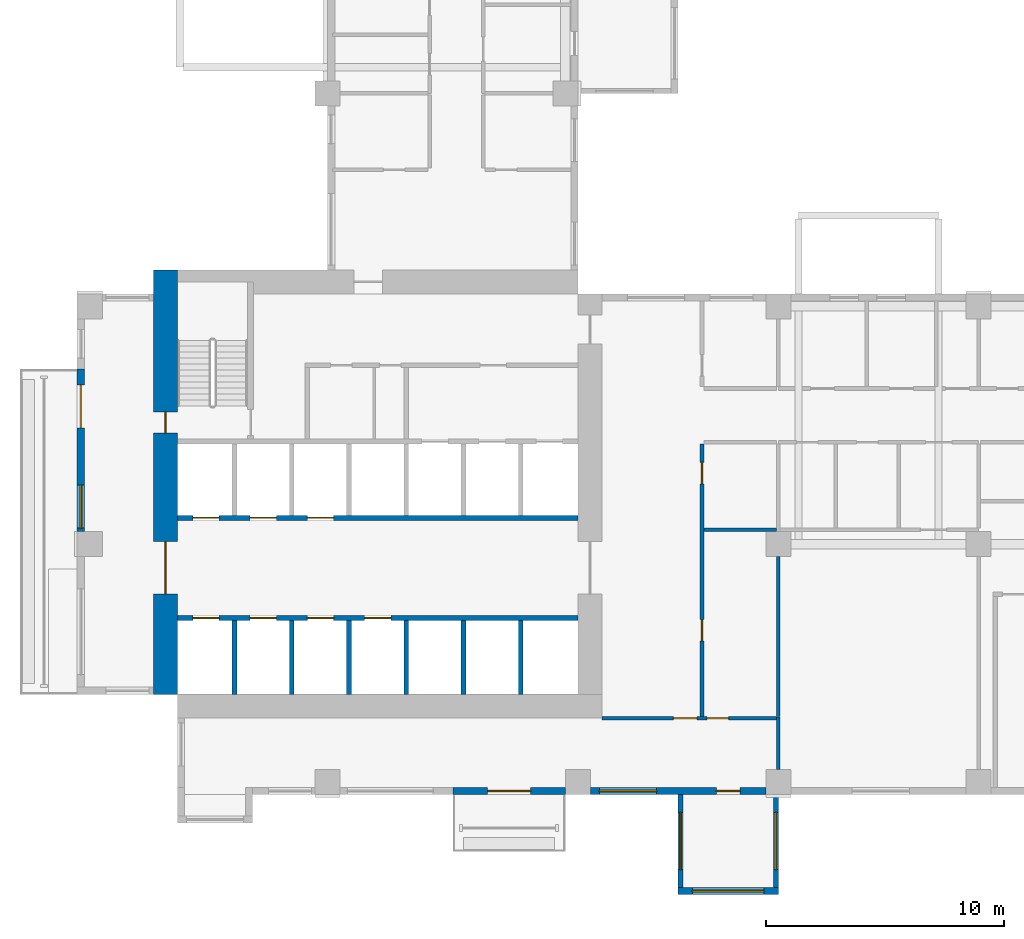
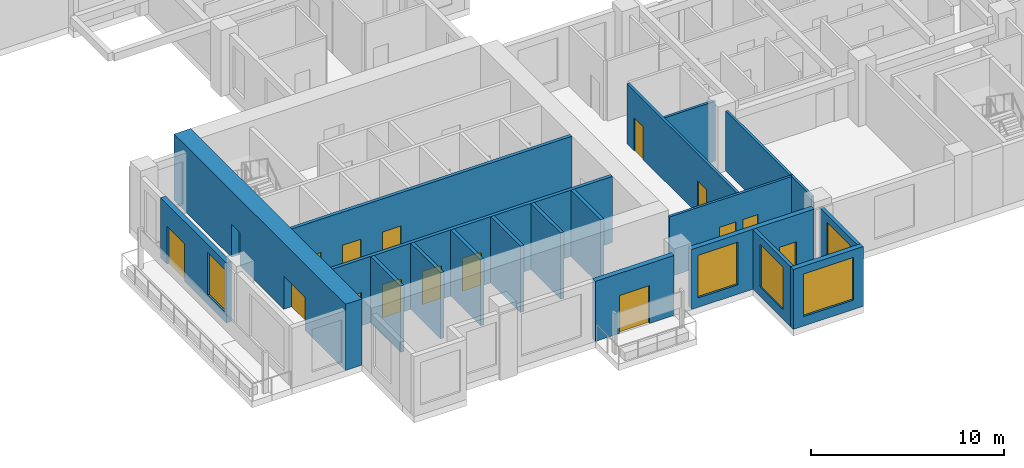
# One storey, part 2 of 14: 20 walls, 16 doors, 5 windows, 21 openings.
"""IFC4 building model written with IfcOpenShell, lengths in metres."""

from ifc_helpers import new_model, si_unit, direction, frame, frame_2d, origin, place, context, subcontext, project, spatial, rectangle, extrude, source, transform, mapped, material, layer, layer_set, type_object, element, fill, save


model = new_model("IFC4")

# Units and contexts
model_context = context("Model", 3, precision=1e-05, world=origin(), true_north=direction((0.0, 1.0)))
body_context = subcontext(model_context, "Body", "Model", "MODEL_VIEW")
ifc_project = project(units=[si_unit("LENGTHUNIT", "METRE"), si_unit("AREAUNIT", "SQUARE_METRE"), si_unit("VOLUMEUNIT", "CUBIC_METRE"), si_unit("PLANEANGLEUNIT", "RADIAN"), si_unit("MASSUNIT", "GRAM", prefix="KILO")], contexts=[model_context])

# Site, building, storey
site_placement = place(None, origin())
site = spatial("IfcSite", under=ifc_project, at=site_placement, CompositionType="ELEMENT")
building_placement = place(site_placement, origin())
building = spatial("IfcBuilding", under=site, at=building_placement, Name="Aurelian Terraces", CompositionType="ELEMENT")
storey_placement = place(building_placement, frame((0.0, 0.0, 132.9)))
storey = spatial("IfcBuildingStorey", under=building, at=storey_placement, Name="L29", CompositionType="ELEMENT", Elevation=132.9)

# Wall, openings, doors
ifc_material_1 = material(Name="Concrete fc' 83 MPa", Category="concrete")
ifc_layer_1 = layer(ifc_material_1, 1.0)
ifc_layer_set_1 = layer_set([ifc_layer_1], Name="CORE WALL 1000 FC83")
wall_type_1 = type_object("IfcWallType", Name="CORE WALL 1000 FC83", PredefinedType="SHEAR", material=ifc_layer_set_1)
shared_shape_1 = source(origin(), body_context, "Body", "SweptSolid", [
    extrude(rectangle(XDim=17.8, YDim=1.0, at=frame_2d((8.9, 0.0))), origin(), (0.0, 0.0, 1.0), 4.2),
])
wall_1_placement = place(storey_placement, frame((3.7, 4.2, 0.0), z_axis=(0.0, 0.0, 1.0), x_axis=(0.0, 1.0, 0.0)))
wall_1 = element("IfcWall", 1, at=wall_1_placement, inside=storey, type_object=wall_type_1, Name="Core wall W L29", PredefinedType="SHEAR", context=body_context, shape_type="MappedRepresentation", body=[
    mapped(shared_shape_1, transform((0.0, 0.0, 0.0), scale=1.0)),
])
shared_shape_2 = source(origin(), body_context, "Body", "SweptSolid", [
    extrude(rectangle(XDim=2.2, YDim=2.1, at=frame_2d((1.1, 1.05))), frame((0.0, 0.51, 0.0), z_axis=(0.0, -1.0, 0.0), x_axis=(1.0, 0.0, 0.0)), (0.0, 0.0, 1.0), 1.02),
])
opening_1_placement = place(wall_1_placement, frame((4.2, 0.0, 0.0)))
opening_1 = element("IfcOpeningElement", 2, at=opening_1_placement, cuts=wall_1, Name="Opening 63221", PredefinedType="OPENING", context=body_context, shape_type="MappedRepresentation", body=[
    mapped(shared_shape_2, transform((0.0, 0.0, 0.0), scale=1.0)),
])
shared_shape_3 = source(origin(), body_context, "Body", "SweptSolid", [
    extrude(rectangle(XDim=0.9, YDim=2.1, at=frame_2d((0.45, 1.05))), frame((0.0, 0.51, 0.0), z_axis=(0.0, -1.0, 0.0), x_axis=(1.0, 0.0, 0.0)), (0.0, 0.0, 1.0), 1.02),
])
opening_2_placement = place(wall_1_placement, frame((10.95, 0.0, 0.0)))
opening_2 = element("IfcOpeningElement", 3, at=opening_2_placement, cuts=wall_1, Name="Opening 63224", PredefinedType="OPENING", context=body_context, shape_type="MappedRepresentation", body=[
    mapped(shared_shape_3, transform((0.0, 0.0, 0.0), scale=1.0)),
])
ifc_material_2 = material(Name="Steel door leaf", Category="steel")
door_type_1 = type_object("IfcDoorType", Name="Core service door 900x2100", OperationType="SINGLE_SWING_LEFT", PredefinedType="DOOR", material=ifc_material_2)
shared_shape_4 = source(origin(), body_context, "Body", "SweptSolid", [
    extrude(rectangle(XDim=0.9, YDim=2.1, at=frame_2d((0.45, 1.05))), frame((0.0, 0.025, 0.0), z_axis=(0.0, -1.0, 0.0), x_axis=(1.0, 0.0, 0.0)), (0.0, 0.0, 1.0), 0.05),
])
door_1_placement = place(opening_2_placement, origin())
door_1 = element("IfcDoor", 4, at=door_1_placement, inside=storey, type_object=door_type_1, Name="Core door 63224", OperationType="SINGLE_SWING_LEFT", OverallHeight=2.1, OverallWidth=0.9, PredefinedType="DOOR", context=body_context, shape_type="MappedRepresentation", body=[
    mapped(shared_shape_4, transform((0.0, 0.0, 0.0), scale=1.0)),
])
fill(opening_2, door_1)
door_type_2 = type_object("IfcDoorType", Name="Core double door 2200x2100", OperationType="DOUBLE_DOOR_SINGLE_SWING", PredefinedType="DOOR", material=ifc_material_2)
shared_shape_5 = source(origin(), body_context, "Body", "SweptSolid", [
    extrude(rectangle(XDim=2.2, YDim=2.1, at=frame_2d((1.1, 1.05))), frame((0.0, 0.025, 0.0), z_axis=(0.0, -1.0, 0.0), x_axis=(1.0, 0.0, 0.0)), (0.0, 0.0, 1.0), 0.05),
])
door_2_placement = place(opening_1_placement, origin())
door_2 = element("IfcDoor", 5, at=door_2_placement, inside=storey, type_object=door_type_2, Name="Core door 63221", OperationType="DOUBLE_DOOR_SINGLE_SWING", OverallHeight=2.1, OverallWidth=2.2, PredefinedType="DOOR", context=body_context, shape_type="MappedRepresentation", body=[
    mapped(shared_shape_5, transform((0.0, 0.0, 0.0), scale=1.0)),
])
fill(opening_1, door_2)

# Wall, opening, window
ifc_material_3 = material(Name="Concrete fc' 40 MPa", Category="concrete")
ifc_layer_2 = layer(ifc_material_3, 0.2)
ifc_layer_set_2 = layer_set([ifc_layer_2], Name="BOX BEARING WALL 200")
wall_type_2 = type_object("IfcWallType", Name="BOX BEARING WALL 200", PredefinedType="SOLIDWALL", material=ifc_layer_set_2)
shared_shape_6 = source(origin(), body_context, "Body", "SweptSolid", [
    extrude(rectangle(XDim=3.9, YDim=0.2, at=frame_2d((1.95, 0.0))), origin(), (0.0, 0.0, 1.0), 3.79),
])
wall_2_placement = place(storey_placement, frame((25.3, 0.0, 0.0), z_axis=(0.0, 0.0, 1.0), x_axis=(0.0, -1.0, 0.0)))
wall_2 = element("IfcWall", 6, at=wall_2_placement, inside=storey, type_object=wall_type_2, Name="Box return L29 J39.1", PredefinedType="SOLIDWALL", context=body_context, shape_type="MappedRepresentation", body=[
    mapped(shared_shape_6, transform((0.0, 0.0, 0.0), scale=1.0)),
])
shared_shape_7 = source(origin(), body_context, "Body", "SweptSolid", [
    extrude(rectangle(XDim=2.4, YDim=2.7, at=frame_2d((1.2, 1.35))), frame((0.0, 0.11, 0.0), z_axis=(0.0, -1.0, 0.0), x_axis=(1.0, 0.0, 0.0)), (0.0, 0.0, 1.0), 0.22),
])
opening_3_placement = place(wall_2_placement, frame((0.75, 0.0, 0.6)))
opening_3 = element("IfcOpeningElement", 7, at=opening_3_placement, cuts=wall_2, Name="Opening W2427", PredefinedType="OPENING", context=body_context, shape_type="MappedRepresentation", body=[
    mapped(shared_shape_7, transform((0.0, 0.0, 0.0), scale=1.0)),
])
ifc_material_4 = material(Name="Clear glazing", Category="glass")
window_type_1 = type_object("IfcWindowType", Name="W-2400x2700", PartitioningType="SINGLE_PANEL", PredefinedType="WINDOW", material=ifc_material_4)
shared_shape_8 = source(origin(), body_context, "Body", "SweptSolid", [
    extrude(rectangle(XDim=2.4, YDim=2.7, at=frame_2d((1.2, 1.35))), frame((0.0, 0.03, 0.0), z_axis=(0.0, -1.0, 0.0), x_axis=(1.0, 0.0, 0.0)), (0.0, 0.0, 1.0), 0.06),
])
window_1_placement = place(opening_3_placement, origin())
window_1 = element("IfcWindow", 8, at=window_1_placement, inside=storey, type_object=window_type_1, Name="Window L29 J39-S1", OverallHeight=2.7, OverallWidth=2.4, PartitioningType="SINGLE_PANEL", PredefinedType="WINDOW", context=body_context, shape_type="MappedRepresentation", body=[
    mapped(shared_shape_8, transform((0.0, 0.0, 0.0), scale=1.0)),
])
fill(opening_3, window_1)

wall_3_placement = place(storey_placement, frame((29.3, 0.0, 0.0), z_axis=(0.0, 0.0, 1.0), x_axis=(0.0, -1.0, 0.0)))
wall_3 = element("IfcWall", 9, at=wall_3_placement, inside=storey, type_object=wall_type_2, Name="Box return L29 J39.2", PredefinedType="SOLIDWALL", context=body_context, shape_type="MappedRepresentation", body=[
    mapped(shared_shape_6, transform((0.0, 0.0, 0.0), scale=1.0)),
])
opening_4_placement = place(wall_3_placement, frame((0.75, 0.0, 0.6)))
opening_4 = element("IfcOpeningElement", 10, at=opening_4_placement, cuts=wall_3, Name="Opening W2427", PredefinedType="OPENING", context=body_context, shape_type="MappedRepresentation", body=[
    mapped(shared_shape_7, transform((0.0, 0.0, 0.0), scale=1.0)),
])
window_2_placement = place(opening_4_placement, origin())
window_2 = element("IfcWindow", 11, at=window_2_placement, inside=storey, type_object=window_type_1, Name="Window L29 J39-S2", OverallHeight=2.7, OverallWidth=2.4, PartitioningType="SINGLE_PANEL", PredefinedType="WINDOW", context=body_context, shape_type="MappedRepresentation", body=[
    mapped(shared_shape_8, transform((0.0, 0.0, 0.0), scale=1.0)),
])
fill(opening_4, window_2)

ifc_layer_3 = layer(ifc_material_3, 0.3)
ifc_layer_set_3 = layer_set([ifc_layer_3], Name="BOX BEARING WALL 300")
wall_type_3 = type_object("IfcWallType", Name="BOX BEARING WALL 300", PredefinedType="SOLIDWALL", material=ifc_layer_set_3)
shared_shape_9 = source(origin(), body_context, "Body", "SweptSolid", [
    extrude(rectangle(XDim=4.2, YDim=0.3, at=frame_2d((2.1, 0.0))), origin(), (0.0, 0.0, 1.0), 3.79),
])
wall_4_placement = place(storey_placement, frame((25.2, -4.05, 0.0), z_axis=(0.0, 0.0, 1.0), x_axis=(1.0, 0.0, 0.0)))
wall_4 = element("IfcWall", 12, at=wall_4_placement, inside=storey, type_object=wall_type_3, Name="Box wall L29 J39", PredefinedType="SOLIDWALL", context=body_context, shape_type="MappedRepresentation", body=[
    mapped(shared_shape_9, transform((0.0, 0.0, 0.0), scale=1.0)),
])
shared_shape_10 = source(origin(), body_context, "Body", "SweptSolid", [
    extrude(rectangle(XDim=3.0, YDim=2.7, at=frame_2d((1.5, 1.35))), frame((0.0, 0.16, 0.0), z_axis=(0.0, -1.0, 0.0), x_axis=(1.0, 0.0, 0.0)), (0.0, 0.0, 1.0), 0.32),
])
opening_5_placement = place(wall_4_placement, frame((0.6, 0.0, 0.6)))
opening_5 = element("IfcOpeningElement", 13, at=opening_5_placement, cuts=wall_4, Name="Opening W3027", PredefinedType="OPENING", context=body_context, shape_type="MappedRepresentation", body=[
    mapped(shared_shape_10, transform((0.0, 0.0, 0.0), scale=1.0)),
])
window_type_2 = type_object("IfcWindowType", Name="W-3000x2700", PartitioningType="SINGLE_PANEL", PredefinedType="WINDOW", material=ifc_material_4)
shared_shape_11 = source(origin(), body_context, "Body", "SweptSolid", [
    extrude(rectangle(XDim=3.0, YDim=2.7, at=frame_2d((1.5, 1.35))), frame((0.0, 0.03, 0.0), z_axis=(0.0, -1.0, 0.0), x_axis=(1.0, 0.0, 0.0)), (0.0, 0.0, 1.0), 0.06),
])
window_3_placement = place(opening_5_placement, origin())
window_3 = element("IfcWindow", 14, at=window_3_placement, inside=storey, type_object=window_type_2, Name="Window L29 J39-F1", OverallHeight=2.7, OverallWidth=3.0, PartitioningType="SINGLE_PANEL", PredefinedType="WINDOW", context=body_context, shape_type="MappedRepresentation", body=[
    mapped(shared_shape_11, transform((0.0, 0.0, 0.0), scale=1.0)),
])
fill(opening_5, window_3)

# Wall, openings, window, door
ifc_material_5 = material(Name="Terracotta rainscreen cladding", Category="masonry")
ifc_layer_4 = layer(ifc_material_5, 0.3)
ifc_layer_set_4 = layer_set([ifc_layer_4], Name="EW-300")
wall_type_4 = type_object("IfcWallType", Name="EW-300", PredefinedType="STANDARD", material=ifc_layer_set_4)
shared_shape_12 = source(origin(), body_context, "Body", "SweptSolid", [
    extrude(rectangle(XDim=7.35, YDim=0.3, at=frame_2d((3.675, 0.0))), origin(), (0.0, 0.0, 1.0), 3.8),
])
wall_5_placement = place(storey_placement, frame((21.525, 0.15, 0.0), z_axis=(0.0, 0.0, 1.0), x_axis=(1.0, 0.0, 0.0)))
wall_5 = element("IfcWall", 15, at=wall_5_placement, inside=storey, type_object=wall_type_4, Name="External wall L29 F01.5", PredefinedType="STANDARD", context=body_context, shape_type="MappedRepresentation", body=[
    mapped(shared_shape_12, transform((0.0, 0.0, 0.0), scale=1.0)),
])
shared_shape_13 = source(origin(), body_context, "Body", "SweptSolid", [
    extrude(rectangle(XDim=2.4, YDim=2.7, at=frame_2d((1.2, 1.35))), frame((0.0, 0.16, 0.0), z_axis=(0.0, -1.0, 0.0), x_axis=(1.0, 0.0, 0.0)), (0.0, 0.0, 1.0), 0.32),
])
opening_6_placement = place(wall_5_placement, frame((0.375, 0.0, 0.6)))
opening_6 = element("IfcOpeningElement", 16, at=opening_6_placement, cuts=wall_5, Name="Opening W2427", PredefinedType="OPENING", context=body_context, shape_type="MappedRepresentation", body=[
    mapped(shared_shape_13, transform((0.0, 0.0, 0.0), scale=1.0)),
])
shared_shape_14 = source(origin(), body_context, "Body", "SweptSolid", [
    extrude(rectangle(XDim=1.0, YDim=2.1, at=frame_2d((0.5, 1.05))), frame((0.0, 0.16, 0.0), z_axis=(0.0, -1.0, 0.0), x_axis=(1.0, 0.0, 0.0)), (0.0, 0.0, 1.0), 0.32),
])
opening_7_placement = place(wall_5_placement, frame((5.275, 0.0, 0.0)))
opening_7 = element("IfcOpeningElement", 17, at=opening_7_placement, cuts=wall_5, Name="Opening 829001", PredefinedType="OPENING", context=body_context, shape_type="MappedRepresentation", body=[
    mapped(shared_shape_14, transform((0.0, 0.0, 0.0), scale=1.0)),
])
window_4_placement = place(opening_6_placement, origin())
window_4 = element("IfcWindow", 18, at=window_4_placement, inside=storey, type_object=window_type_1, Name="Window L29 L29-F01-05-0", OverallHeight=2.7, OverallWidth=2.4, PartitioningType="SINGLE_PANEL", PredefinedType="WINDOW", context=body_context, shape_type="MappedRepresentation", body=[
    mapped(shared_shape_8, transform((0.0, 0.0, 0.0), scale=1.0)),
])
fill(opening_6, window_4)
ifc_material_6 = material(Name="Timber door leaf", Category="wood")
door_type_3 = type_object("IfcDoorType", Name="Room door 1000x2100 left", OperationType="SINGLE_SWING_LEFT", PredefinedType="DOOR", material=ifc_material_6)
shared_shape_15 = source(origin(), body_context, "Body", "SweptSolid", [
    extrude(rectangle(XDim=1.0, YDim=2.1, at=frame_2d((0.5, 1.05))), frame((0.0, 0.025, 0.0), z_axis=(0.0, -1.0, 0.0), x_axis=(1.0, 0.0, 0.0)), (0.0, 0.0, 1.0), 0.05),
])
door_3_placement = place(opening_7_placement, origin())
door_3 = element("IfcDoor", 19, at=door_3_placement, inside=storey, type_object=door_type_3, Name="Door 829001", OperationType="SINGLE_SWING_LEFT", OverallHeight=2.1, OverallWidth=1.0, PredefinedType="DOOR", context=body_context, shape_type="MappedRepresentation", body=[
    mapped(shared_shape_15, transform((0.0, 0.0, 0.0), scale=1.0)),
])
fill(opening_7, door_3)

# Wall, openings, door, window
shared_shape_16 = source(origin(), body_context, "Body", "SweptSolid", [
    extrude(rectangle(XDim=6.825, YDim=0.3, at=frame_2d((3.4125, 0.0))), origin(), (0.0, 0.0, 1.0), 3.8),
])
wall_6_placement = place(storey_placement, frame((0.15, 17.85, 0.0), z_axis=(0.0, 0.0, 1.0), x_axis=(0.0, -1.0, 0.0)))
wall_6 = element("IfcWall", 20, at=wall_6_placement, inside=storey, type_object=wall_type_4, Name="External wall L29 F22.41", PredefinedType="STANDARD", context=body_context, shape_type="MappedRepresentation", body=[
    mapped(shared_shape_16, transform((0.0, 0.0, 0.0), scale=1.0)),
])
shared_shape_17 = source(origin(), body_context, "Body", "SweptSolid", [
    extrude(rectangle(XDim=1.8, YDim=2.4, at=frame_2d((0.9, 1.2))), frame((0.0, 0.16, 0.0), z_axis=(0.0, -1.0, 0.0), x_axis=(1.0, 0.0, 0.0)), (0.0, 0.0, 1.0), 0.32),
])
opening_8_placement = place(wall_6_placement, frame((0.675, 0.0, 0.0)))
opening_8 = element("IfcOpeningElement", 21, at=opening_8_placement, cuts=wall_6, Name="Opening 82902", PredefinedType="OPENING", context=body_context, shape_type="MappedRepresentation", body=[
    mapped(shared_shape_17, transform((0.0, 0.0, 0.0), scale=1.0)),
])
shared_shape_18 = source(origin(), body_context, "Body", "SweptSolid", [
    extrude(rectangle(XDim=1.8, YDim=2.7, at=frame_2d((0.9, 1.35))), frame((0.0, 0.16, 0.0), z_axis=(0.0, -1.0, 0.0), x_axis=(1.0, 0.0, 0.0)), (0.0, 0.0, 1.0), 0.32),
])
opening_9_placement = place(wall_6_placement, frame((4.875, 0.0, 0.6)))
opening_9 = element("IfcOpeningElement", 22, at=opening_9_placement, cuts=wall_6, Name="Opening W1827", PredefinedType="OPENING", context=body_context, shape_type="MappedRepresentation", body=[
    mapped(shared_shape_18, transform((0.0, 0.0, 0.0), scale=1.0)),
])
door_type_4 = type_object("IfcDoorType", Name="BD-1800x2400", OperationType="SLIDING_TO_LEFT", PredefinedType="DOOR", material=ifc_material_4)
shared_shape_19 = source(origin(), body_context, "Body", "SweptSolid", [
    extrude(rectangle(XDim=1.8, YDim=2.4, at=frame_2d((0.9, 1.2))), frame((0.0, 0.025, 0.0), z_axis=(0.0, -1.0, 0.0), x_axis=(1.0, 0.0, 0.0)), (0.0, 0.0, 1.0), 0.05),
])
door_4_placement = place(opening_8_placement, origin())
door_4 = element("IfcDoor", 23, at=door_4_placement, inside=storey, type_object=door_type_4, Name="Balcony door L29 F22.41", OperationType="SLIDING_TO_LEFT", OverallHeight=2.4, OverallWidth=1.8, PredefinedType="DOOR", context=body_context, shape_type="MappedRepresentation", body=[
    mapped(shared_shape_19, transform((0.0, 0.0, 0.0), scale=1.0)),
])
fill(opening_8, door_4)
window_type_3 = type_object("IfcWindowType", Name="W-1800x2700", PartitioningType="SINGLE_PANEL", PredefinedType="WINDOW", material=ifc_material_4)
shared_shape_20 = source(origin(), body_context, "Body", "SweptSolid", [
    extrude(rectangle(XDim=1.8, YDim=2.7, at=frame_2d((0.9, 1.35))), frame((0.0, 0.03, 0.0), z_axis=(0.0, -1.0, 0.0), x_axis=(1.0, 0.0, 0.0)), (0.0, 0.0, 1.0), 0.06),
])
window_5_placement = place(opening_9_placement, origin())
window_5 = element("IfcWindow", 24, at=window_5_placement, inside=storey, type_object=window_type_3, Name="Window L29 L29-F22-41-1", OverallHeight=2.7, OverallWidth=1.8, PartitioningType="SINGLE_PANEL", PredefinedType="WINDOW", context=body_context, shape_type="MappedRepresentation", body=[
    mapped(shared_shape_20, transform((0.0, 0.0, 0.0), scale=1.0)),
])
fill(opening_9, window_5)

# Wall, opening, door
shared_shape_21 = source(origin(), body_context, "Body", "SweptSolid", [
    extrude(rectangle(XDim=4.725, YDim=0.3, at=frame_2d((2.3625, 0.0))), origin(), (0.0, 0.0, 1.0), 3.8),
])
wall_7_placement = place(storey_placement, frame((15.75, 0.15, 0.0), z_axis=(0.0, 0.0, 1.0), x_axis=(1.0, 0.0, 0.0)))
wall_7 = element("IfcWall", 25, at=wall_7_placement, inside=storey, type_object=wall_type_4, Name="External wall L29 F01.4", PredefinedType="STANDARD", context=body_context, shape_type="MappedRepresentation", body=[
    mapped(shared_shape_21, transform((0.0, 0.0, 0.0), scale=1.0)),
])
opening_10_placement = place(wall_7_placement, frame((1.4625, 0.0, 0.0)))
opening_10 = element("IfcOpeningElement", 26, at=opening_10_placement, cuts=wall_7, Name="Opening 82901", PredefinedType="OPENING", context=body_context, shape_type="MappedRepresentation", body=[
    mapped(shared_shape_17, transform((0.0, 0.0, 0.0), scale=1.0)),
])
door_5_placement = place(opening_10_placement, origin())
door_5 = element("IfcDoor", 27, at=door_5_placement, inside=storey, type_object=door_type_4, Name="Balcony door L29 F01.4", OperationType="SLIDING_TO_LEFT", OverallHeight=2.4, OverallWidth=1.8, PredefinedType="DOOR", context=body_context, shape_type="MappedRepresentation", body=[
    mapped(shared_shape_19, transform((0.0, 0.0, 0.0), scale=1.0)),
])
fill(opening_10, door_5)

# Walls
ifc_layer_5 = layer(ifc_material_3, 0.2)
ifc_layer_set_5 = layer_set([ifc_layer_5], Name="Lift shaft wall 200")
wall_type_5 = type_object("IfcWallType", Name="Lift shaft wall 200", PredefinedType="SOLIDWALL", material=ifc_layer_set_5)
shared_shape_22 = source(origin(), body_context, "Body", "SweptSolid", [
    extrude(rectangle(XDim=3.1, YDim=0.2, at=frame_2d((1.55, 0.0))), origin(), (0.0, 0.0, 1.0), 4.2),
])
for number, where, z_axis, x_axis, name in (
    (28, (6.6, 4.2, 0.0), (0.0, 0.0, 1.0), (0.0, 1.0, 0.0), "L29 core wall CD-A1"),
    (29, (9.0, 4.2, 0.0), (0.0, 0.0, 1.0), (0.0, 1.0, 0.0), "L29 core wall CD-A2"),
    (30, (11.4, 4.2, 0.0), (0.0, 0.0, 1.0), (0.0, 1.0, 0.0), "L29 core wall CD-A3"),
    (31, (13.8, 4.2, 0.0), (0.0, 0.0, 1.0), (0.0, 1.0, 0.0), "L29 core wall CD-A4"),
    (32, (16.2, 4.2, 0.0), (0.0, 0.0, 1.0), (0.0, 1.0, 0.0), "L29 core wall CD-A5"),
    (33, (18.6, 4.2, 0.0), (0.0, 0.0, 1.0), (0.0, 1.0, 0.0), "L29 core wall CD-A6"),
):
    element("IfcWall", number, at=place(storey_placement, frame(where, z_axis=z_axis, x_axis=x_axis)), inside=storey, type_object=wall_type_5, Name=name, PredefinedType="SOLIDWALL", context=body_context, shape_type="MappedRepresentation", body=[
        mapped(shared_shape_22, transform((0.0, 0.0, 0.0), scale=1.0)),
    ])

# Wall, openings, doors
shared_shape_23 = source(origin(), body_context, "Body", "SweptSolid", [
    extrude(rectangle(XDim=16.8, YDim=0.2, at=frame_2d((8.4, 0.0))), origin(), (0.0, 0.0, 1.0), 4.2),
])
wall_8_placement = place(storey_placement, frame((4.2, 7.4, 0.0), z_axis=(0.0, 0.0, 1.0), x_axis=(1.0, 0.0, 0.0)))
wall_8 = element("IfcWall", 34, at=wall_8_placement, inside=storey, type_object=wall_type_5, Name="L29 core wall CF-AF1", PredefinedType="SOLIDWALL", context=body_context, shape_type="MappedRepresentation", body=[
    mapped(shared_shape_23, transform((0.0, 0.0, 0.0), scale=1.0)),
])
shared_shape_24 = source(origin(), body_context, "Body", "SweptSolid", [
    extrude(rectangle(XDim=1.1, YDim=2.1, at=frame_2d((0.55, 1.05))), frame((0.0, 0.11, 0.0), z_axis=(0.0, -1.0, 0.0), x_axis=(1.0, 0.0, 0.0)), (0.0, 0.0, 1.0), 0.22),
])
opening_11_placement = place(wall_8_placement, frame((0.65, 0.0, 0.0)))
opening_11 = element("IfcOpeningElement", 35, at=opening_11_placement, cuts=wall_8, Name="Opening 63200", PredefinedType="OPENING", context=body_context, shape_type="MappedRepresentation", body=[
    mapped(shared_shape_24, transform((0.0, 0.0, 0.0), scale=1.0)),
])
opening_12_placement = place(wall_8_placement, frame((3.05, 0.0, 0.0)))
opening_12 = element("IfcOpeningElement", 36, at=opening_12_placement, cuts=wall_8, Name="Opening 63201", PredefinedType="OPENING", context=body_context, shape_type="MappedRepresentation", body=[
    mapped(shared_shape_24, transform((0.0, 0.0, 0.0), scale=1.0)),
])
opening_13_placement = place(wall_8_placement, frame((5.45, 0.0, 0.0)))
opening_13 = element("IfcOpeningElement", 37, at=opening_13_placement, cuts=wall_8, Name="Opening 63202", PredefinedType="OPENING", context=body_context, shape_type="MappedRepresentation", body=[
    mapped(shared_shape_24, transform((0.0, 0.0, 0.0), scale=1.0)),
])
opening_14_placement = place(wall_8_placement, frame((7.85, 0.0, 0.0)))
opening_14 = element("IfcOpeningElement", 38, at=opening_14_placement, cuts=wall_8, Name="Opening 63203", PredefinedType="OPENING", context=body_context, shape_type="MappedRepresentation", body=[
    mapped(shared_shape_24, transform((0.0, 0.0, 0.0), scale=1.0)),
])
ifc_material_7 = material(Name="Stainless steel", Category="steel")
door_type_5 = type_object("IfcDoorType", Name="Lift landing door 1100x2100", OperationType="SLIDING_TO_LEFT", PredefinedType="DOOR", material=ifc_material_7)
shared_shape_25 = source(origin(), body_context, "Body", "SweptSolid", [
    extrude(rectangle(XDim=1.1, YDim=2.1, at=frame_2d((0.55, 1.05))), frame((0.0, 0.025, 0.0), z_axis=(0.0, -1.0, 0.0), x_axis=(1.0, 0.0, 0.0)), (0.0, 0.0, 1.0), 0.05),
])
door_6_placement = place(opening_11_placement, origin())
door_6 = element("IfcDoor", 39, at=door_6_placement, inside=storey, type_object=door_type_5, Name="Lift landing door LL1 L29", OperationType="SLIDING_TO_LEFT", OverallHeight=2.1, OverallWidth=1.1, PredefinedType="DOOR", context=body_context, shape_type="MappedRepresentation", body=[
    mapped(shared_shape_25, transform((0.0, 0.0, 0.0), scale=1.0)),
])
fill(opening_11, door_6)
door_7_placement = place(opening_12_placement, origin())
door_7 = element("IfcDoor", 40, at=door_7_placement, inside=storey, type_object=door_type_5, Name="Lift landing door LL2 L29", OperationType="SLIDING_TO_LEFT", OverallHeight=2.1, OverallWidth=1.1, PredefinedType="DOOR", context=body_context, shape_type="MappedRepresentation", body=[
    mapped(shared_shape_25, transform((0.0, 0.0, 0.0), scale=1.0)),
])
fill(opening_12, door_7)
door_8_placement = place(opening_13_placement, origin())
door_8 = element("IfcDoor", 41, at=door_8_placement, inside=storey, type_object=door_type_5, Name="Lift landing door LL3 L29", OperationType="SLIDING_TO_LEFT", OverallHeight=2.1, OverallWidth=1.1, PredefinedType="DOOR", context=body_context, shape_type="MappedRepresentation", body=[
    mapped(shared_shape_25, transform((0.0, 0.0, 0.0), scale=1.0)),
])
fill(opening_13, door_8)
door_9_placement = place(opening_14_placement, origin())
door_9 = element("IfcDoor", 42, at=door_9_placement, inside=storey, type_object=door_type_5, Name="Lift landing door LL4 L29", OperationType="SLIDING_TO_LEFT", OverallHeight=2.1, OverallWidth=1.1, PredefinedType="DOOR", context=body_context, shape_type="MappedRepresentation", body=[
    mapped(shared_shape_25, transform((0.0, 0.0, 0.0), scale=1.0)),
])
fill(opening_14, door_9)

wall_9_placement = place(storey_placement, frame((4.2, 11.6, 0.0), z_axis=(0.0, 0.0, 1.0), x_axis=(1.0, 0.0, 0.0)))
wall_9 = element("IfcWall", 43, at=wall_9_placement, inside=storey, type_object=wall_type_5, Name="L29 core wall CF-BF1", PredefinedType="SOLIDWALL", context=body_context, shape_type="MappedRepresentation", body=[
    mapped(shared_shape_23, transform((0.0, 0.0, 0.0), scale=1.0)),
])
opening_15_placement = place(wall_9_placement, frame((0.65, 0.0, 0.0)))
opening_15 = element("IfcOpeningElement", 44, at=opening_15_placement, cuts=wall_9, Name="Opening 63204", PredefinedType="OPENING", context=body_context, shape_type="MappedRepresentation", body=[
    mapped(shared_shape_24, transform((0.0, 0.0, 0.0), scale=1.0)),
])
opening_16_placement = place(wall_9_placement, frame((3.05, 0.0, 0.0)))
opening_16 = element("IfcOpeningElement", 45, at=opening_16_placement, cuts=wall_9, Name="Opening 63205", PredefinedType="OPENING", context=body_context, shape_type="MappedRepresentation", body=[
    mapped(shared_shape_24, transform((0.0, 0.0, 0.0), scale=1.0)),
])
opening_17_placement = place(wall_9_placement, frame((5.45, 0.0, 0.0)))
opening_17 = element("IfcOpeningElement", 46, at=opening_17_placement, cuts=wall_9, Name="Opening 63206", PredefinedType="OPENING", context=body_context, shape_type="MappedRepresentation", body=[
    mapped(shared_shape_24, transform((0.0, 0.0, 0.0), scale=1.0)),
])
door_10_placement = place(opening_15_placement, origin())
door_10 = element("IfcDoor", 47, at=door_10_placement, inside=storey, type_object=door_type_5, Name="Lift landing door LL5 L29", OperationType="SLIDING_TO_LEFT", OverallHeight=2.1, OverallWidth=1.1, PredefinedType="DOOR", context=body_context, shape_type="MappedRepresentation", body=[
    mapped(shared_shape_25, transform((0.0, 0.0, 0.0), scale=1.0)),
])
fill(opening_15, door_10)
door_11_placement = place(opening_16_placement, origin())
door_11 = element("IfcDoor", 48, at=door_11_placement, inside=storey, type_object=door_type_5, Name="Lift landing door LL6 L29", OperationType="SLIDING_TO_LEFT", OverallHeight=2.1, OverallWidth=1.1, PredefinedType="DOOR", context=body_context, shape_type="MappedRepresentation", body=[
    mapped(shared_shape_25, transform((0.0, 0.0, 0.0), scale=1.0)),
])
fill(opening_16, door_11)
door_12_placement = place(opening_17_placement, origin())
door_12 = element("IfcDoor", 49, at=door_12_placement, inside=storey, type_object=door_type_5, Name="Lift landing door LL7 L29", OperationType="SLIDING_TO_LEFT", OverallHeight=2.1, OverallWidth=1.1, PredefinedType="DOOR", context=body_context, shape_type="MappedRepresentation", body=[
    mapped(shared_shape_25, transform((0.0, 0.0, 0.0), scale=1.0)),
])
fill(opening_17, door_12)

# Walls
ifc_material_8 = material(Name="Gypsum board on steel studs", Category="steel")
ifc_layer_6 = layer(ifc_material_8, 0.15)
ifc_layer_set_6 = layer_set([ifc_layer_6], Name="Partition 150")
wall_type_6 = type_object("IfcWallType", Name="Partition 150", PredefinedType="PARTITIONING", material=ifc_layer_set_6)
shared_shape_26 = source(origin(), body_context, "Body", "SweptSolid", [
    extrude(rectangle(XDim=6.701, YDim=0.15, at=frame_2d((3.3505, 0.0))), origin(), (0.0, 0.0, 1.0), 3.8),
])
wall_10_placement = place(storey_placement, frame((29.4, 3.275, 0.0), z_axis=(0.0, 0.0, 1.0), x_axis=(0.0, 1.0, 0.0)))
element("IfcWall", 50, at=wall_10_placement, inside=storey, type_object=wall_type_6, Name="Partition", PredefinedType="PARTITIONING", context=body_context, shape_type="MappedRepresentation", body=[
    mapped(shared_shape_26, transform((0.0, 0.0, 0.0), scale=1.0)),
])
shared_shape_27 = source(origin(), body_context, "Body", "SweptSolid", [
    extrude(rectangle(XDim=2.206, YDim=0.15, at=frame_2d((1.103, 0.0))), origin(), (0.0, 0.0, 1.0), 3.8),
])
wall_11_placement = place(storey_placement, frame((29.4, 1.049, 0.0), z_axis=(0.0, 0.0, 1.0), x_axis=(0.0, 1.0, 0.0)))
element("IfcWall", 51, at=wall_11_placement, inside=storey, type_object=wall_type_6, Name="Partition", PredefinedType="PARTITIONING", context=body_context, shape_type="MappedRepresentation", body=[
    mapped(shared_shape_27, transform((0.0, 0.0, 0.0), scale=1.0)),
])
shared_shape_28 = source(origin(), body_context, "Body", "SweptSolid", [
    extrude(rectangle(XDim=3.05, YDim=0.15, at=frame_2d((1.525, 0.0))), origin(), (0.0, 0.0, 1.0), 3.8),
])
wall_12_placement = place(storey_placement, frame((29.325, 11.1, 0.0), z_axis=(0.0, 0.0, 1.0), x_axis=(-1.0, 0.0, 0.0)))
element("IfcWall", 52, at=wall_12_placement, inside=storey, type_object=wall_type_6, Name="Partition", PredefinedType="PARTITIONING", context=body_context, shape_type="MappedRepresentation", body=[
    mapped(shared_shape_28, transform((0.0, 0.0, 0.0), scale=1.0)),
])

# Wall, openings, doors
shared_shape_29 = source(origin(), body_context, "Body", "SweptSolid", [
    extrude(rectangle(XDim=7.325, YDim=0.15, at=frame_2d((3.6625, 0.0))), origin(), (0.0, 0.0, 1.0), 3.8),
])
wall_13_placement = place(storey_placement, frame((22.0, 3.2, 0.0), z_axis=(0.0, 0.0, 1.0), x_axis=(1.0, 0.0, 0.0)))
wall_13 = element("IfcWall", 53, at=wall_13_placement, inside=storey, type_object=wall_type_6, Name="Partition", PredefinedType="PARTITIONING", context=body_context, shape_type="MappedRepresentation", body=[
    mapped(shared_shape_29, transform((0.0, 0.0, 0.0), scale=1.0)),
])
shared_shape_30 = source(origin(), body_context, "Body", "SweptSolid", [
    extrude(rectangle(XDim=1.0, YDim=2.1, at=frame_2d((0.5, 1.05))), frame((0.0, 0.085, 0.0), z_axis=(0.0, -1.0, 0.0), x_axis=(1.0, 0.0, 0.0)), (0.0, 0.0, 1.0), 0.17),
])
opening_18_placement = place(wall_13_placement, frame((3.0, 0.0, 0.0)))
opening_18 = element("IfcOpeningElement", 54, at=opening_18_placement, cuts=wall_13, Name="Opening 729004", PredefinedType="OPENING", context=body_context, shape_type="MappedRepresentation", body=[
    mapped(shared_shape_30, transform((0.0, 0.0, 0.0), scale=1.0)),
])
shared_shape_31 = source(origin(), body_context, "Body", "SweptSolid", [
    extrude(rectangle(XDim=0.9, YDim=2.1, at=frame_2d((0.45, 1.05))), frame((0.0, 0.085, 0.0), z_axis=(0.0, -1.0, 0.0), x_axis=(1.0, 0.0, 0.0)), (0.0, 0.0, 1.0), 0.17),
])
opening_19_placement = place(wall_13_placement, frame((4.413, 0.0, 0.0)))
opening_19 = element("IfcOpeningElement", 55, at=opening_19_placement, cuts=wall_13, Name="Opening 729048", PredefinedType="OPENING", context=body_context, shape_type="MappedRepresentation", body=[
    mapped(shared_shape_31, transform((0.0, 0.0, 0.0), scale=1.0)),
])
door_13_placement = place(opening_18_placement, origin())
door_13 = element("IfcDoor", 56, at=door_13_placement, inside=storey, type_object=door_type_3, Name="Door 729004", OperationType="SINGLE_SWING_LEFT", OverallHeight=2.1, OverallWidth=1.0, PredefinedType="DOOR", context=body_context, shape_type="MappedRepresentation", body=[
    mapped(shared_shape_15, transform((0.0, 0.0, 0.0), scale=1.0)),
])
fill(opening_18, door_13)
door_type_6 = type_object("IfcDoorType", Name="Room door 900x2100 left", OperationType="SINGLE_SWING_LEFT", PredefinedType="DOOR", material=ifc_material_6)
door_14_placement = place(opening_19_placement, origin())
door_14 = element("IfcDoor", 57, at=door_14_placement, inside=storey, type_object=door_type_6, Name="Door 729048", OperationType="SINGLE_SWING_LEFT", OverallHeight=2.1, OverallWidth=0.9, PredefinedType="DOOR", context=body_context, shape_type="MappedRepresentation", body=[
    mapped(shared_shape_4, transform((0.0, 0.0, 0.0), scale=1.0)),
])
fill(opening_19, door_14)

shared_shape_32 = source(origin(), body_context, "Body", "SweptSolid", [
    extrude(rectangle(XDim=11.425, YDim=0.15, at=frame_2d((5.7125, 0.0))), origin(), (0.0, 0.0, 1.0), 3.8),
])
wall_14_placement = place(storey_placement, frame((26.2, 14.7, 0.0), z_axis=(0.0, 0.0, 1.0), x_axis=(0.0, -1.0, 0.0)))
wall_14 = element("IfcWall", 58, at=wall_14_placement, inside=storey, type_object=wall_type_6, Name="Partition", PredefinedType="PARTITIONING", context=body_context, shape_type="MappedRepresentation", body=[
    mapped(shared_shape_32, transform((0.0, 0.0, 0.0), scale=1.0)),
])
opening_20_placement = place(wall_14_placement, frame((7.3625, 0.0, 0.0)))
opening_20 = element("IfcOpeningElement", 59, at=opening_20_placement, cuts=wall_14, Name="Opening 729001", PredefinedType="OPENING", context=body_context, shape_type="MappedRepresentation", body=[
    mapped(shared_shape_31, transform((0.0, 0.0, 0.0), scale=1.0)),
])
opening_21_placement = place(wall_14_placement, frame((0.775, 0.0, 0.0)))
opening_21 = element("IfcOpeningElement", 60, at=opening_21_placement, cuts=wall_14, Name="Opening 729002", PredefinedType="OPENING", context=body_context, shape_type="MappedRepresentation", body=[
    mapped(shared_shape_31, transform((0.0, 0.0, 0.0), scale=1.0)),
])
door_type_7 = type_object("IfcDoorType", Name="Room door 900x2100 right", OperationType="SINGLE_SWING_RIGHT", PredefinedType="DOOR", material=ifc_material_6)
door_15_placement = place(opening_20_placement, origin())
door_15 = element("IfcDoor", 61, at=door_15_placement, inside=storey, type_object=door_type_7, Name="Door 729001", OperationType="SINGLE_SWING_RIGHT", OverallHeight=2.1, OverallWidth=0.9, PredefinedType="DOOR", context=body_context, shape_type="MappedRepresentation", body=[
    mapped(shared_shape_4, transform((0.0, 0.0, 0.0), scale=1.0)),
])
fill(opening_20, door_15)
door_16_placement = place(opening_21_placement, origin())
door_16 = element("IfcDoor", 62, at=door_16_placement, inside=storey, type_object=door_type_6, Name="Door 729002", OperationType="SINGLE_SWING_LEFT", OverallHeight=2.1, OverallWidth=0.9, PredefinedType="DOOR", context=body_context, shape_type="MappedRepresentation", body=[
    mapped(shared_shape_4, transform((0.0, 0.0, 0.0), scale=1.0)),
])
fill(opening_21, door_16)

save(model, "model.ifc")
